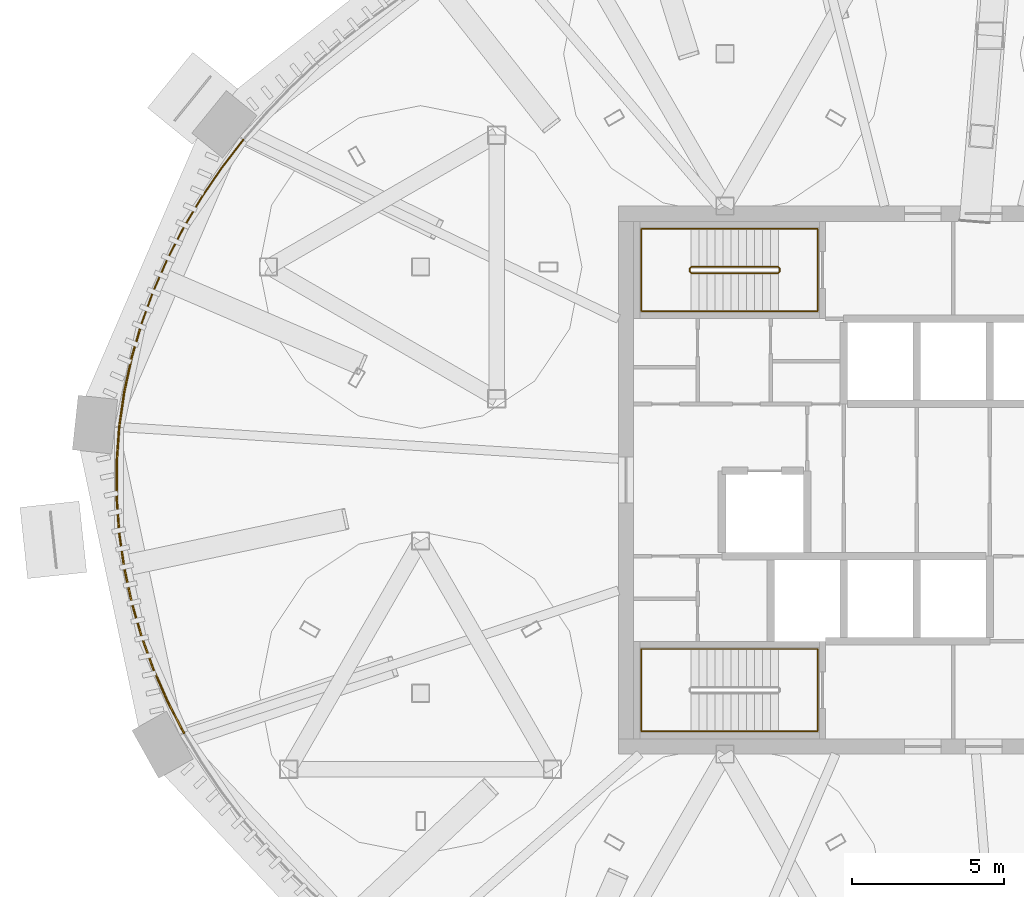
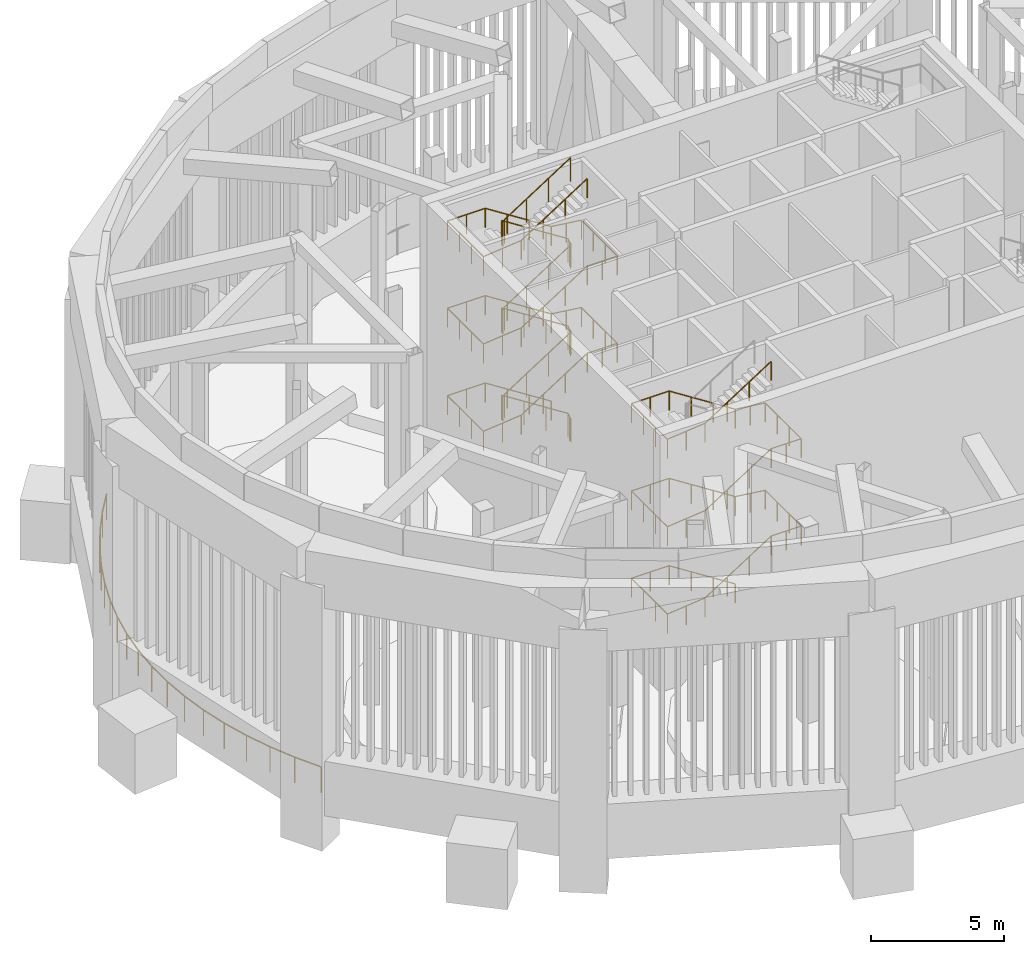
# One storey, part 11 of 14: 6 railings.
"""IFC4 building model written with IfcOpenShell, lengths in metres."""

from ifc_helpers import new_model, si_unit, direction, frame, origin, origin_2d, place, context, subcontext, project, spatial, circle, extrude, source, transform, mapped, material, type_object, element, save


model = new_model("IFC4")

# Units and contexts
model_context = context("Model", 3, precision=1e-05, world=origin(), true_north=direction((0.0, 1.0)))
body_context = subcontext(model_context, "Body", "Model", "MODEL_VIEW")
ifc_project = project(units=[si_unit("LENGTHUNIT", "METRE"), si_unit("AREAUNIT", "SQUARE_METRE"), si_unit("VOLUMEUNIT", "CUBIC_METRE"), si_unit("PLANEANGLEUNIT", "RADIAN"), si_unit("MASSUNIT", "GRAM", prefix="KILO")], contexts=[model_context])

# Site, building, storey
site_placement = place(None, origin())
site = spatial("IfcSite", under=ifc_project, at=site_placement, CompositionType="ELEMENT")
building_placement = place(site_placement, origin())
building = spatial("IfcBuilding", under=site, at=building_placement, Name="Embergate Tower", CompositionType="ELEMENT")
storey_placement = place(building_placement, frame((0.0, 0.0, 340.0)))
storey = spatial("IfcBuildingStorey", under=building, at=storey_placement, Name="L79", CompositionType="ELEMENT", Elevation=340.0)

# Railings
ifc_material_1 = material(Name="Steel Q355B", Category="steel")
railing_type_1 = type_object("IfcRailingType", Name="Slot edge guard", PredefinedType="GUARDRAIL", material=ifc_material_1)
shared_shape_1 = source(origin(), body_context, "Body", "SweptSolid", [
    extrude(circle(Radius=0.030029296875, at=origin_2d()), frame((0.0, 0.0, 1.169921875), z_axis=(-0.609299061567, -0.79294051074, 0.0), x_axis=(0.79294051074, -0.609299061567, 0.0)), (0.0, 0.0, 1.0), 1.17529296875),
    extrude(circle(Radius=0.030029296875, at=origin_2d()), frame((-0.716064453125, -0.931884765625, 1.169921875), z_axis=(-0.562160279696, -0.827028306609, 0.0), x_axis=(0.827028306609, -0.562160279696, 0.0)), (0.0, 0.0, 1.0), 1.15966796875),
    extrude(circle(Radius=0.030029296875, at=origin_2d()), frame((-1.367919921875, -1.890869140625, 1.169921875), z_axis=(-0.51273893643, -0.858544572558, 0.0), x_axis=(0.858544572558, -0.51273893643, 0.0)), (0.0, 0.0, 1.0), 1.14501953125),
    extrude(circle(Radius=0.030029296875, at=origin_2d()), frame((-1.955078125, -2.8740234375, 1.169921875), z_axis=(-0.459094069098, -0.88838766072, 0.0), x_axis=(0.88838766072, -0.459094069098, 0.0)), (0.0, 0.0, 1.0), 1.171630859375),
    extrude(circle(Radius=0.030029296875, at=origin_2d()), frame((-2.492919921875, -3.914794921875, 1.169921875), z_axis=(-0.402166680093, -0.915566470237, 0.0), x_axis=(0.915566470237, -0.402166680093, 0.0)), (0.0, 0.0, 1.0), 1.158935546875),
    extrude(circle(Radius=0.030029296875, at=origin_2d()), frame((-2.958984375, -4.975830078125, 1.169921875), z_axis=(-0.340752323207, -0.940153101483, 0.0), x_axis=(0.940153101483, -0.340752323207, 0.0)), (0.0, 0.0, 1.0), 1.147705078125),
    extrude(circle(Radius=0.02490234375, at=origin_2d()), origin(), (0.0, 0.0, 1.0), 1.139892578125),
    extrude(circle(Radius=0.02490234375, at=origin_2d()), frame((-0.716064453125, -0.931884765625, 0.0)), (0.0, 0.0, 1.0), 1.139892578125),
    extrude(circle(Radius=0.02490234375, at=origin_2d()), frame((-1.367919921875, -1.890869140625, 0.0)), (0.0, 0.0, 1.0), 1.139892578125),
    extrude(circle(Radius=0.02490234375, at=origin_2d()), frame((-1.955078125, -2.8740234375, 0.0)), (0.0, 0.0, 1.0), 1.139892578125),
    extrude(circle(Radius=0.02490234375, at=origin_2d()), frame((-2.492919921875, -3.914794921875, 0.0)), (0.0, 0.0, 1.0), 1.139892578125),
    extrude(circle(Radius=0.02490234375, at=origin_2d()), frame((-2.958984375, -4.975830078125, 0.0)), (0.0, 0.0, 1.0), 1.139892578125),
    extrude(circle(Radius=0.02490234375, at=origin_2d()), frame((-3.35009765625, -6.054931640625, 0.0)), (0.0, 0.0, 1.0), 1.139892578125),
])
railing_1_placement = place(storey_placement, frame((-23.322998046875, 11.180908203125, 0.0)))
element("IfcRailing", 1, at=railing_1_placement, inside=storey, type_object=railing_type_1, Name="GRD-L79-09", PredefinedType="GUARDRAIL", context=body_context, shape_type="MappedRepresentation", body=[
    mapped(shared_shape_1, transform((0.0, 0.0, 0.0))),
])
shared_shape_2 = source(origin(), body_context, "Body", "SweptSolid", [
    extrude(circle(Radius=0.030029296875, at=origin_2d()), frame((0.0, 0.0, 1.169921875), z_axis=(-0.277127181901, -0.960833245184, 0.0), x_axis=(0.960833245184, -0.277127181901, 0.0)), (0.0, 0.0, 1.0), 1.16552734375),
    extrude(circle(Radius=0.030029296875, at=origin_2d()), frame((-0.322998046875, -1.119873046875, 1.169921875), z_axis=(-0.210608768615, -0.977570430497, 0.0), x_axis=(0.977570430497, -0.210608768615, 0.0)), (0.0, 0.0, 1.0), 1.157958984375),
    extrude(circle(Radius=0.030029296875, at=origin_2d()), frame((-0.56689453125, -2.251953125, 1.169921875), z_axis=(-0.141599413092, -0.989924040627, 0.0), x_axis=(0.989924040627, -0.141599413092, 0.0)), (0.0, 0.0, 1.0), 1.15185546875),
    extrude(circle(Radius=0.030029296875, at=origin_2d()), frame((-0.72998046875, -3.39208984375, 1.169921875), z_axis=(-0.071696618441, -0.997426485965, 0.0), x_axis=(0.997426485965, -0.071696618441, 0.0)), (0.0, 0.0, 1.0), 1.15771484375),
    extrude(circle(Radius=0.030029296875, at=origin_2d()), frame((-0.81298828125, -4.546875, 1.169921875), z_axis=(0.0, -1.0, 0.0), x_axis=(1.0, 0.0, 0.0)), (0.0, 0.0, 1.0), 1.158203125),
    extrude(circle(Radius=0.030029296875, at=origin_2d()), frame((-0.81298828125, -5.705078125, 1.169921875), z_axis=(0.071696618441, -0.997426485965, 0.0), x_axis=(0.997426485965, 0.071696618441, 0.0)), (0.0, 0.0, 1.0), 1.15771484375),
    extrude(circle(Radius=0.02490234375, at=origin_2d()), origin(), (0.0, 0.0, 1.0), 1.139892578125),
    extrude(circle(Radius=0.02490234375, at=origin_2d()), frame((-0.322998046875, -1.119873046875, 0.0)), (0.0, 0.0, 1.0), 1.139892578125),
    extrude(circle(Radius=0.02490234375, at=origin_2d()), frame((-0.56689453125, -2.251953125, 0.0)), (0.0, 0.0, 1.0), 1.139892578125),
    extrude(circle(Radius=0.02490234375, at=origin_2d()), frame((-0.72998046875, -3.39208984375, 0.0)), (0.0, 0.0, 1.0), 1.139892578125),
    extrude(circle(Radius=0.02490234375, at=origin_2d()), frame((-0.81298828125, -4.546875, 0.0)), (0.0, 0.0, 1.0), 1.139892578125),
    extrude(circle(Radius=0.02490234375, at=origin_2d()), frame((-0.81298828125, -5.705078125, 0.0)), (0.0, 0.0, 1.0), 1.139892578125),
    extrude(circle(Radius=0.02490234375, at=origin_2d()), frame((-0.72998046875, -6.85986328125, 0.0)), (0.0, 0.0, 1.0), 1.139892578125),
])
railing_2_placement = place(storey_placement, frame((-26.673095703125, 5.1259765625, 0.0)))
element("IfcRailing", 2, at=railing_2_placement, inside=storey, type_object=railing_type_1, Name="GRD-L79-10", PredefinedType="GUARDRAIL", context=body_context, shape_type="MappedRepresentation", body=[
    mapped(shared_shape_2, transform((0.0, 0.0, 0.0))),
])
shared_shape_3 = source(origin(), body_context, "Body", "SweptSolid", [
    extrude(circle(Radius=0.030029296875, at=origin_2d()), frame((0.0, 0.0, 1.169921875), z_axis=(0.141599413092, -0.989924040627, 0.0), x_axis=(0.989924040627, 0.141599413092, 0.0)), (0.0, 0.0, 1.0), 1.15185546875),
    extrude(circle(Radius=0.030029296875, at=origin_2d()), frame((0.1630859375, -1.14013671875, 1.169921875), z_axis=(0.210608768615, -0.977570430497, 0.0), x_axis=(0.977570430497, 0.210608768615, 0.0)), (0.0, 0.0, 1.0), 1.157958984375),
    extrude(circle(Radius=0.030029296875, at=origin_2d()), frame((0.406982421875, -2.272216796875, 1.169921875), z_axis=(0.277127181901, -0.960833245184, 0.0), x_axis=(0.960833245184, 0.277127181901, 0.0)), (0.0, 0.0, 1.0), 1.16552734375),
    extrude(circle(Radius=0.030029296875, at=origin_2d()), frame((0.72998046875, -3.39208984375, 1.169921875), z_axis=(0.340752323207, -0.940153101483, 0.0), x_axis=(0.940153101483, 0.340752323207, 0.0)), (0.0, 0.0, 1.0), 1.147705078125),
    extrude(circle(Radius=0.030029296875, at=origin_2d()), frame((1.12109375, -4.47119140625, 1.169921875), z_axis=(0.402166680093, -0.915566470237, 0.0), x_axis=(0.915566470237, 0.402166680093, 0.0)), (0.0, 0.0, 1.0), 1.158935546875),
    extrude(circle(Radius=0.030029296875, at=origin_2d()), frame((1.587158203125, -5.5322265625, 1.169921875), z_axis=(0.459094069098, -0.88838766072, 0.0), x_axis=(0.88838766072, 0.459094069098, 0.0)), (0.0, 0.0, 1.0), 1.171630859375),
    extrude(circle(Radius=0.02490234375, at=origin_2d()), origin(), (0.0, 0.0, 1.0), 1.139892578125),
    extrude(circle(Radius=0.02490234375, at=origin_2d()), frame((0.1630859375, -1.14013671875, 0.0)), (0.0, 0.0, 1.0), 1.139892578125),
    extrude(circle(Radius=0.02490234375, at=origin_2d()), frame((0.406982421875, -2.272216796875, 0.0)), (0.0, 0.0, 1.0), 1.139892578125),
    extrude(circle(Radius=0.02490234375, at=origin_2d()), frame((0.72998046875, -3.39208984375, 0.0)), (0.0, 0.0, 1.0), 1.139892578125),
    extrude(circle(Radius=0.02490234375, at=origin_2d()), frame((1.12109375, -4.47119140625, 0.0)), (0.0, 0.0, 1.0), 1.139892578125),
    extrude(circle(Radius=0.02490234375, at=origin_2d()), frame((1.587158203125, -5.5322265625, 0.0)), (0.0, 0.0, 1.0), 1.139892578125),
    extrude(circle(Radius=0.02490234375, at=origin_2d()), frame((2.125, -6.572998046875, 0.0)), (0.0, 0.0, 1.0), 1.139892578125),
])
railing_3_placement = place(storey_placement, frame((-27.403076171875, -1.73388671875, 0.0)))
element("IfcRailing", 3, at=railing_3_placement, inside=storey, type_object=railing_type_1, Name="GRD-L79-11", PredefinedType="GUARDRAIL", context=body_context, shape_type="MappedRepresentation", body=[
    mapped(shared_shape_3, transform((0.0, 0.0, 0.0))),
])
ifc_material_2 = material(Name="Stair guard 1100")
railing_type_2 = type_object("IfcRailingType", Name="Stair guard 1100", PredefinedType="GUARDRAIL", material=ifc_material_2)
shared_shape_4 = source(origin(), body_context, "Body", "SweptSolid", [
    extrude(circle(Radius=0.02392578125, at=origin_2d()), frame((0.0, 0.0, 1.076171875), z_axis=(0.0, 1.0, 0.0), x_axis=(-1.0, 0.0, 0.0)), (0.0, 0.0, 1.0), 0.099853515625),
    extrude(circle(Radius=0.02392578125, at=origin_2d()), frame((0.0, 0.099853515625, 1.076171875), z_axis=(-0.27628659633, 0.27628659633, 0.920506074601), x_axis=(-0.707106781187, -0.707106781187, 0.0)), (0.0, 0.0, 1.0), 0.18115234375),
    extrude(circle(Radius=0.02392578125, at=origin_2d()), frame((-0.050048828125, 0.14990234375, 1.24267578125), z_axis=(-0.841899231129, 0.0, 0.539634769658), x_axis=(0.0, -1.0, 0.0)), (0.0, 0.0, 1.0), 3.397216796875),
    extrude(circle(Radius=0.02392578125, at=origin_2d()), frame((-2.91015625, 0.14990234375, 3.076171875), z_axis=(-0.705375805398, -0.708833529934, 0.0), x_axis=(0.708833529934, -0.705375805398, 0.0)), (0.0, 0.0, 1.0), 0.070556640625),
    extrude(circle(Radius=0.02392578125, at=origin_2d()), frame((-2.9599609375, 0.099853515625, 3.076171875), z_axis=(0.0, -1.0, 0.0), x_axis=(1.0, 0.0, 0.0)), (0.0, 0.0, 1.0), 0.099853515625),
    extrude(circle(Radius=0.02392578125, at=origin_2d()), frame((-2.9599609375, 0.0, 3.076171875), z_axis=(0.275041040955, -0.276389281352, 0.920848191041), x_axis=(0.708833529934, 0.705375805398, 0.0)), (0.0, 0.0, 1.0), 0.18115234375),
    extrude(circle(Radius=0.02392578125, at=origin_2d()), frame((-2.91015625, -0.050048828125, 3.24267578125), z_axis=(0.841899231129, 0.0, 0.539634769658), x_axis=(0.0, 1.0, 0.0)), (0.0, 0.0, 1.0), 3.397216796875),
    extrude(circle(Radius=0.02392578125, at=origin_2d()), frame((-0.050048828125, -0.050048828125, 5.076171875), z_axis=(0.707106781187, 0.707106781187, 0.0), x_axis=(-0.707106781187, 0.707106781187, 0.0)), (0.0, 0.0, 1.0), 0.07080078125),
    extrude(circle(Radius=0.02392578125, at=origin_2d()), frame((0.0, 0.0, 5.076171875), z_axis=(0.0, 1.0, 0.0), x_axis=(-1.0, 0.0, 0.0)), (0.0, 0.0, 1.0), 0.099853515625),
    extrude(circle(Radius=0.02392578125, at=origin_2d()), frame((0.0, 0.099853515625, 5.076171875), z_axis=(-0.27628659633, 0.27628659633, 0.920506074601), x_axis=(-0.707106781187, -0.707106781187, 0.0)), (0.0, 0.0, 1.0), 0.18115234375),
    extrude(circle(Radius=0.02392578125, at=origin_2d()), frame((-0.050048828125, 0.14990234375, 5.24267578125), z_axis=(-0.841899231129, 0.0, 0.539634769658), x_axis=(0.0, -1.0, 0.0)), (0.0, 0.0, 1.0), 3.397216796875),
    extrude(circle(Radius=0.02392578125, at=origin_2d()), frame((-2.91015625, 0.14990234375, 7.076171875), z_axis=(-0.705375805398, -0.708833529934, 0.0), x_axis=(0.708833529934, -0.705375805398, 0.0)), (0.0, 0.0, 1.0), 0.070556640625),
    extrude(circle(Radius=0.02392578125, at=origin_2d()), frame((-2.9599609375, 0.099853515625, 7.076171875), z_axis=(0.0, -1.0, 0.0), x_axis=(1.0, 0.0, 0.0)), (0.0, 0.0, 1.0), 0.099853515625),
    extrude(circle(Radius=0.02392578125, at=origin_2d()), frame((-2.9599609375, 0.0, 7.076171875), z_axis=(0.275041040955, -0.276389281352, 0.920848191041), x_axis=(0.708833529934, 0.705375805398, 0.0)), (0.0, 0.0, 1.0), 0.18115234375),
    extrude(circle(Radius=0.02392578125, at=origin_2d()), frame((-2.91015625, -0.050048828125, 7.24267578125), z_axis=(0.841899231129, 0.0, 0.539634769658), x_axis=(0.0, 1.0, 0.0)), (0.0, 0.0, 1.0), 3.397216796875),
    extrude(circle(Radius=0.02392578125, at=origin_2d()), frame((-0.050048828125, -0.050048828125, 9.076171875), z_axis=(0.707106781187, 0.707106781187, 0.0), x_axis=(-0.707106781187, 0.707106781187, 0.0)), (0.0, 0.0, 1.0), 0.07080078125),
    extrude(circle(Radius=0.02392578125, at=origin_2d()), frame((0.0, 0.0, 9.076171875), z_axis=(0.0, 1.0, 0.0), x_axis=(-1.0, 0.0, 0.0)), (0.0, 0.0, 1.0), 0.099853515625),
    extrude(circle(Radius=0.02392578125, at=origin_2d()), frame((0.0, 0.099853515625, 9.076171875), z_axis=(-0.27628659633, 0.27628659633, 0.920506074601), x_axis=(-0.707106781187, -0.707106781187, 0.0)), (0.0, 0.0, 1.0), 0.18115234375),
    extrude(circle(Radius=0.02392578125, at=origin_2d()), frame((-0.050048828125, 0.14990234375, 9.24267578125), z_axis=(-0.841899231129, 0.0, 0.539634769658), x_axis=(0.0, -1.0, 0.0)), (0.0, 0.0, 1.0), 3.397216796875),
    extrude(circle(Radius=0.02392578125, at=origin_2d()), frame((-2.91015625, 0.14990234375, 11.076171875), z_axis=(-0.705375805398, -0.708833529934, 0.0), x_axis=(0.708833529934, -0.705375805398, 0.0)), (0.0, 0.0, 1.0), 0.070556640625),
    extrude(circle(Radius=0.02392578125, at=origin_2d()), frame((-2.9599609375, 0.099853515625, 11.076171875), z_axis=(0.0, -1.0, 0.0), x_axis=(1.0, 0.0, 0.0)), (0.0, 0.0, 1.0), 0.099853515625),
    extrude(circle(Radius=0.02392578125, at=origin_2d()), frame((-2.9599609375, 0.0, 11.076171875), z_axis=(0.275041040955, -0.276389281352, 0.920848191041), x_axis=(0.708833529934, 0.705375805398, 0.0)), (0.0, 0.0, 1.0), 0.18115234375),
    extrude(circle(Radius=0.02392578125, at=origin_2d()), frame((-2.91015625, -0.050048828125, 11.24267578125), z_axis=(0.841899231129, 0.0, 0.539634769658), x_axis=(0.0, 1.0, 0.0)), (0.0, 0.0, 1.0), 3.397216796875),
    extrude(circle(Radius=0.02099609375, at=origin_2d()), origin(), (0.0, 0.0, 1.0), 1.052001953125),
    extrude(circle(Radius=0.02099609375, at=origin_2d()), frame((0.0, 0.099853515625, 0.0)), (0.0, 0.0, 1.0), 1.052001953125),
    extrude(circle(Radius=0.02099609375, at=origin_2d()), frame((-0.050048828125, 0.14990234375, 0.166748046875)), (0.0, 0.0, 1.0), 1.052001953125),
    extrude(circle(Radius=0.02099609375, at=origin_2d()), frame((-1.00341796875, 0.14990234375, 0.77783203125)), (0.0, 0.0, 1.0), 1.052001953125),
    extrude(circle(Radius=0.02099609375, at=origin_2d()), frame((-1.956787109375, 0.14990234375, 1.388916015625)), (0.0, 0.0, 1.0), 1.052001953125),
    extrude(circle(Radius=0.02099609375, at=origin_2d()), frame((-2.91015625, 0.14990234375, 2.0)), (0.0, 0.0, 1.0), 1.052001953125),
    extrude(circle(Radius=0.02099609375, at=origin_2d()), frame((-2.9599609375, 0.099853515625, 2.0)), (0.0, 0.0, 1.0), 1.052001953125),
    extrude(circle(Radius=0.02099609375, at=origin_2d()), frame((-2.9599609375, 0.0, 2.0)), (0.0, 0.0, 1.0), 1.052001953125),
    extrude(circle(Radius=0.02099609375, at=origin_2d()), frame((-2.91015625, -0.050048828125, 2.166748046875)), (0.0, 0.0, 1.0), 1.052001953125),
    extrude(circle(Radius=0.02099609375, at=origin_2d()), frame((-1.956787109375, -0.050048828125, 2.77783203125)), (0.0, 0.0, 1.0), 1.052001953125),
    extrude(circle(Radius=0.02099609375, at=origin_2d()), frame((-1.00341796875, -0.050048828125, 3.388916015625)), (0.0, 0.0, 1.0), 1.052001953125),
    extrude(circle(Radius=0.02099609375, at=origin_2d()), frame((-0.050048828125, -0.050048828125, 4.0)), (0.0, 0.0, 1.0), 1.052001953125),
    extrude(circle(Radius=0.02099609375, at=origin_2d()), frame((0.0, 0.0, 4.0)), (0.0, 0.0, 1.0), 1.052001953125),
    extrude(circle(Radius=0.02099609375, at=origin_2d()), frame((0.0, 0.099853515625, 4.0)), (0.0, 0.0, 1.0), 1.052001953125),
    extrude(circle(Radius=0.02099609375, at=origin_2d()), frame((-0.050048828125, 0.14990234375, 4.166748046875)), (0.0, 0.0, 1.0), 1.052001953125),
    extrude(circle(Radius=0.02099609375, at=origin_2d()), frame((-1.00341796875, 0.14990234375, 4.77783203125)), (0.0, 0.0, 1.0), 1.052001953125),
    extrude(circle(Radius=0.02099609375, at=origin_2d()), frame((-1.956787109375, 0.14990234375, 5.388916015625)), (0.0, 0.0, 1.0), 1.052001953125),
    extrude(circle(Radius=0.02099609375, at=origin_2d()), frame((-2.91015625, 0.14990234375, 6.0)), (0.0, 0.0, 1.0), 1.052001953125),
    extrude(circle(Radius=0.02099609375, at=origin_2d()), frame((-2.9599609375, 0.099853515625, 6.0)), (0.0, 0.0, 1.0), 1.052001953125),
    extrude(circle(Radius=0.02099609375, at=origin_2d()), frame((-2.9599609375, 0.0, 6.0)), (0.0, 0.0, 1.0), 1.052001953125),
    extrude(circle(Radius=0.02099609375, at=origin_2d()), frame((-2.91015625, -0.050048828125, 6.166748046875)), (0.0, 0.0, 1.0), 1.052001953125),
    extrude(circle(Radius=0.02099609375, at=origin_2d()), frame((-1.956787109375, -0.050048828125, 6.77783203125)), (0.0, 0.0, 1.0), 1.052001953125),
    extrude(circle(Radius=0.02099609375, at=origin_2d()), frame((-1.00341796875, -0.050048828125, 7.388916015625)), (0.0, 0.0, 1.0), 1.052001953125),
    extrude(circle(Radius=0.02099609375, at=origin_2d()), frame((-0.050048828125, -0.050048828125, 8.0)), (0.0, 0.0, 1.0), 1.052001953125),
    extrude(circle(Radius=0.02099609375, at=origin_2d()), frame((0.0, 0.0, 8.0)), (0.0, 0.0, 1.0), 1.052001953125),
    extrude(circle(Radius=0.02099609375, at=origin_2d()), frame((0.0, 0.099853515625, 8.0)), (0.0, 0.0, 1.0), 1.052001953125),
    extrude(circle(Radius=0.02099609375, at=origin_2d()), frame((-0.050048828125, 0.14990234375, 8.166748046875)), (0.0, 0.0, 1.0), 1.052001953125),
    extrude(circle(Radius=0.02099609375, at=origin_2d()), frame((-1.00341796875, 0.14990234375, 8.77783203125)), (0.0, 0.0, 1.0), 1.052001953125),
    extrude(circle(Radius=0.02099609375, at=origin_2d()), frame((-1.956787109375, 0.14990234375, 9.388916015625)), (0.0, 0.0, 1.0), 1.052001953125),
    extrude(circle(Radius=0.02099609375, at=origin_2d()), frame((-2.91015625, 0.14990234375, 10.0)), (0.0, 0.0, 1.0), 1.052001953125),
    extrude(circle(Radius=0.02099609375, at=origin_2d()), frame((-2.9599609375, 0.099853515625, 10.0)), (0.0, 0.0, 1.0), 1.052001953125),
    extrude(circle(Radius=0.02099609375, at=origin_2d()), frame((-2.9599609375, 0.0, 10.0)), (0.0, 0.0, 1.0), 1.052001953125),
    extrude(circle(Radius=0.02099609375, at=origin_2d()), frame((-2.91015625, -0.050048828125, 10.166748046875)), (0.0, 0.0, 1.0), 1.052001953125),
    extrude(circle(Radius=0.02099609375, at=origin_2d()), frame((-1.956787109375, -0.050048828125, 10.77783203125)), (0.0, 0.0, 1.0), 1.052001953125),
    extrude(circle(Radius=0.02099609375, at=origin_2d()), frame((-1.00341796875, -0.050048828125, 11.388916015625)), (0.0, 0.0, 1.0), 1.052001953125),
    extrude(circle(Radius=0.02099609375, at=origin_2d()), frame((-0.050048828125, -0.050048828125, 12.0)), (0.0, 0.0, 1.0), 1.052001953125),
])
railing_4_placement = place(storey_placement, frame((-5.699951171875, 6.85009765625, 0.0)))
element("IfcRailing", 4, at=railing_4_placement, inside=storey, type_object=railing_type_2, Name="L79 ST1 stair guard 1", PredefinedType="GUARDRAIL", context=body_context, shape_type="MappedRepresentation", body=[
    mapped(shared_shape_4, transform((0.0, 0.0, 0.0))),
])
ifc_material_3 = material(Name="Stair handrail 900")
railing_type_3 = type_object("IfcRailingType", Name="Stair handrail 900", PredefinedType="HANDRAIL", material=ifc_material_3)
shared_shape_5 = source(origin(), body_context, "Body", "SweptSolid", [
    extrude(circle(Radius=0.02392578125, at=origin_2d()), frame((0.0, 0.0, 0.8759765625), z_axis=(-0.841899231129, 0.0, 0.539634769658), x_axis=(0.0, -1.0, 0.0)), (0.0, 0.0, 1.0), 3.397216796875),
    extrude(circle(Radius=0.02392578125, at=origin_2d()), frame((-2.860107421875, 0.0, 2.708984375), z_axis=(-1.0, 0.0, 0.0), x_axis=(0.0, -1.0, 0.0)), (0.0, 0.0, 1.0), 1.639892578125),
    extrude(circle(Radius=0.02392578125, at=origin_2d()), frame((-4.5, 0.0, 2.708984375), z_axis=(0.0, -1.0, 0.0), x_axis=(1.0, 0.0, 0.0)), (0.0, 0.0, 1.0), 2.699951171875),
    extrude(circle(Radius=0.02392578125, at=origin_2d()), frame((-4.5, -2.699951171875, 2.708984375), z_axis=(0.99487010061, 0.0, 0.101160678683), x_axis=(0.0, 1.0, 0.0)), (0.0, 0.0, 1.0), 1.6484375),
    extrude(circle(Radius=0.02392578125, at=origin_2d()), frame((-2.860107421875, -2.699951171875, 2.8759765625), z_axis=(0.841899231129, 0.0, 0.539634769658), x_axis=(0.0, 1.0, 0.0)), (0.0, 0.0, 1.0), 3.397216796875),
    extrude(circle(Radius=0.02392578125, at=origin_2d()), frame((0.0, -2.699951171875, 4.708984375), z_axis=(1.0, 0.0, 0.0), x_axis=(0.0, 1.0, 0.0)), (0.0, 0.0, 1.0), 1.300048828125),
    extrude(circle(Radius=0.02392578125, at=origin_2d()), frame((1.300048828125, -2.699951171875, 4.708984375), z_axis=(0.0, 1.0, 0.0), x_axis=(-1.0, 0.0, 0.0)), (0.0, 0.0, 1.0), 2.699951171875),
    extrude(circle(Radius=0.02392578125, at=origin_2d()), frame((1.300048828125, 0.0, 4.708984375), z_axis=(-0.991874434073, 0.0, 0.12722070206), x_axis=(0.0, -1.0, 0.0)), (0.0, 0.0, 1.0), 1.310791015625),
    extrude(circle(Radius=0.02392578125, at=origin_2d()), frame((0.0, 0.0, 4.8759765625), z_axis=(-0.841899231129, 0.0, 0.539634769658), x_axis=(0.0, -1.0, 0.0)), (0.0, 0.0, 1.0), 3.397216796875),
    extrude(circle(Radius=0.02392578125, at=origin_2d()), frame((-2.860107421875, 0.0, 6.708984375), z_axis=(-1.0, 0.0, 0.0), x_axis=(0.0, -1.0, 0.0)), (0.0, 0.0, 1.0), 1.639892578125),
    extrude(circle(Radius=0.02392578125, at=origin_2d()), frame((-4.5, 0.0, 6.708984375), z_axis=(0.0, -1.0, 0.0), x_axis=(1.0, 0.0, 0.0)), (0.0, 0.0, 1.0), 2.699951171875),
    extrude(circle(Radius=0.02392578125, at=origin_2d()), frame((-4.5, -2.699951171875, 6.708984375), z_axis=(0.99487010061, 0.0, 0.101160678683), x_axis=(0.0, 1.0, 0.0)), (0.0, 0.0, 1.0), 1.6484375),
    extrude(circle(Radius=0.02392578125, at=origin_2d()), frame((-2.860107421875, -2.699951171875, 6.8759765625), z_axis=(0.841899231129, 0.0, 0.539634769658), x_axis=(0.0, 1.0, 0.0)), (0.0, 0.0, 1.0), 3.397216796875),
    extrude(circle(Radius=0.02392578125, at=origin_2d()), frame((0.0, -2.699951171875, 8.708984375), z_axis=(1.0, 0.0, 0.0), x_axis=(0.0, 1.0, 0.0)), (0.0, 0.0, 1.0), 1.300048828125),
    extrude(circle(Radius=0.02392578125, at=origin_2d()), frame((1.300048828125, -2.699951171875, 8.708984375), z_axis=(0.0, 1.0, 0.0), x_axis=(-1.0, 0.0, 0.0)), (0.0, 0.0, 1.0), 2.699951171875),
    extrude(circle(Radius=0.02392578125, at=origin_2d()), frame((1.300048828125, 0.0, 8.708984375), z_axis=(-0.991874434073, 0.0, 0.12722070206), x_axis=(0.0, -1.0, 0.0)), (0.0, 0.0, 1.0), 1.310791015625),
    extrude(circle(Radius=0.02392578125, at=origin_2d()), frame((0.0, 0.0, 8.8759765625), z_axis=(-0.841899231129, 0.0, 0.539634769658), x_axis=(0.0, -1.0, 0.0)), (0.0, 0.0, 1.0), 3.397216796875),
    extrude(circle(Radius=0.02392578125, at=origin_2d()), frame((-2.860107421875, 0.0, 10.708984375), z_axis=(-1.0, 0.0, 0.0), x_axis=(0.0, -1.0, 0.0)), (0.0, 0.0, 1.0), 1.639892578125),
    extrude(circle(Radius=0.02392578125, at=origin_2d()), frame((-4.5, 0.0, 10.708984375), z_axis=(0.0, -1.0, 0.0), x_axis=(1.0, 0.0, 0.0)), (0.0, 0.0, 1.0), 2.699951171875),
    extrude(circle(Radius=0.02392578125, at=origin_2d()), frame((-4.5, -2.699951171875, 10.708984375), z_axis=(0.99487010061, 0.0, 0.101160678683), x_axis=(0.0, 1.0, 0.0)), (0.0, 0.0, 1.0), 1.6484375),
    extrude(circle(Radius=0.02392578125, at=origin_2d()), frame((-2.860107421875, -2.699951171875, 10.8759765625), z_axis=(0.841899231129, 0.0, 0.539634769658), x_axis=(0.0, 1.0, 0.0)), (0.0, 0.0, 1.0), 3.397216796875),
    extrude(circle(Radius=0.02099609375, at=origin_2d()), origin(), (0.0, 0.0, 1.0), 0.851806640625),
    extrude(circle(Radius=0.02099609375, at=origin_2d()), frame((-0.953369140625, 0.0, 0.611083984375)), (0.0, 0.0, 1.0), 0.851806640625),
    extrude(circle(Radius=0.02099609375, at=origin_2d()), frame((-1.90673828125, 0.0, 1.22216796875)), (0.0, 0.0, 1.0), 0.851806640625),
    extrude(circle(Radius=0.02099609375, at=origin_2d()), frame((-2.860107421875, 0.0, 1.833251953125)), (0.0, 0.0, 1.0), 0.851806640625),
    extrude(circle(Radius=0.02099609375, at=origin_2d()), frame((-3.68017578125, 0.0, 1.833251953125)), (0.0, 0.0, 1.0), 0.851806640625),
    extrude(circle(Radius=0.02099609375, at=origin_2d()), frame((-4.5, 0.0, 1.833251953125)), (0.0, 0.0, 1.0), 0.851806640625),
    extrude(circle(Radius=0.02099609375, at=origin_2d()), frame((-4.5, -0.89990234375, 1.833251953125)), (0.0, 0.0, 1.0), 0.851806640625),
    extrude(circle(Radius=0.02099609375, at=origin_2d()), frame((-4.5, -1.800048828125, 1.833251953125)), (0.0, 0.0, 1.0), 0.851806640625),
    extrude(circle(Radius=0.02099609375, at=origin_2d()), frame((-4.5, -2.699951171875, 1.833251953125)), (0.0, 0.0, 1.0), 0.851806640625),
    extrude(circle(Radius=0.02099609375, at=origin_2d()), frame((-3.68017578125, -2.699951171875, 1.91650390625)), (0.0, 0.0, 1.0), 0.851806640625),
    extrude(circle(Radius=0.02099609375, at=origin_2d()), frame((-2.860107421875, -2.699951171875, 2.0)), (0.0, 0.0, 1.0), 0.851806640625),
    extrude(circle(Radius=0.02099609375, at=origin_2d()), frame((-1.90673828125, -2.699951171875, 2.611083984375)), (0.0, 0.0, 1.0), 0.851806640625),
    extrude(circle(Radius=0.02099609375, at=origin_2d()), frame((-0.953369140625, -2.699951171875, 3.22216796875)), (0.0, 0.0, 1.0), 0.851806640625),
    extrude(circle(Radius=0.02099609375, at=origin_2d()), frame((0.0, -2.699951171875, 3.833251953125)), (0.0, 0.0, 1.0), 0.851806640625),
    extrude(circle(Radius=0.02099609375, at=origin_2d()), frame((0.64990234375, -2.699951171875, 3.833251953125)), (0.0, 0.0, 1.0), 0.851806640625),
    extrude(circle(Radius=0.02099609375, at=origin_2d()), frame((1.300048828125, -2.699951171875, 3.833251953125)), (0.0, 0.0, 1.0), 0.851806640625),
    extrude(circle(Radius=0.02099609375, at=origin_2d()), frame((1.300048828125, -1.800048828125, 3.833251953125)), (0.0, 0.0, 1.0), 0.851806640625),
    extrude(circle(Radius=0.02099609375, at=origin_2d()), frame((1.300048828125, -0.89990234375, 3.833251953125)), (0.0, 0.0, 1.0), 0.851806640625),
    extrude(circle(Radius=0.02099609375, at=origin_2d()), frame((1.300048828125, 0.0, 3.833251953125)), (0.0, 0.0, 1.0), 0.851806640625),
    extrude(circle(Radius=0.02099609375, at=origin_2d()), frame((0.64990234375, 0.0, 3.91650390625)), (0.0, 0.0, 1.0), 0.851806640625),
    extrude(circle(Radius=0.02099609375, at=origin_2d()), frame((0.0, 0.0, 4.0)), (0.0, 0.0, 1.0), 0.851806640625),
    extrude(circle(Radius=0.02099609375, at=origin_2d()), frame((-0.953369140625, 0.0, 4.611083984375)), (0.0, 0.0, 1.0), 0.851806640625),
    extrude(circle(Radius=0.02099609375, at=origin_2d()), frame((-1.90673828125, 0.0, 5.22216796875)), (0.0, 0.0, 1.0), 0.851806640625),
    extrude(circle(Radius=0.02099609375, at=origin_2d()), frame((-2.860107421875, 0.0, 5.833251953125)), (0.0, 0.0, 1.0), 0.851806640625),
    extrude(circle(Radius=0.02099609375, at=origin_2d()), frame((-3.68017578125, 0.0, 5.833251953125)), (0.0, 0.0, 1.0), 0.851806640625),
    extrude(circle(Radius=0.02099609375, at=origin_2d()), frame((-4.5, 0.0, 5.833251953125)), (0.0, 0.0, 1.0), 0.851806640625),
    extrude(circle(Radius=0.02099609375, at=origin_2d()), frame((-4.5, -0.89990234375, 5.833251953125)), (0.0, 0.0, 1.0), 0.851806640625),
    extrude(circle(Radius=0.02099609375, at=origin_2d()), frame((-4.5, -1.800048828125, 5.833251953125)), (0.0, 0.0, 1.0), 0.851806640625),
    extrude(circle(Radius=0.02099609375, at=origin_2d()), frame((-4.5, -2.699951171875, 5.833251953125)), (0.0, 0.0, 1.0), 0.851806640625),
    extrude(circle(Radius=0.02099609375, at=origin_2d()), frame((-3.68017578125, -2.699951171875, 5.91650390625)), (0.0, 0.0, 1.0), 0.851806640625),
    extrude(circle(Radius=0.02099609375, at=origin_2d()), frame((-2.860107421875, -2.699951171875, 6.0)), (0.0, 0.0, 1.0), 0.851806640625),
    extrude(circle(Radius=0.02099609375, at=origin_2d()), frame((-1.90673828125, -2.699951171875, 6.611083984375)), (0.0, 0.0, 1.0), 0.851806640625),
    extrude(circle(Radius=0.02099609375, at=origin_2d()), frame((-0.953369140625, -2.699951171875, 7.22216796875)), (0.0, 0.0, 1.0), 0.851806640625),
    extrude(circle(Radius=0.02099609375, at=origin_2d()), frame((0.0, -2.699951171875, 7.833251953125)), (0.0, 0.0, 1.0), 0.851806640625),
    extrude(circle(Radius=0.02099609375, at=origin_2d()), frame((0.64990234375, -2.699951171875, 7.833251953125)), (0.0, 0.0, 1.0), 0.851806640625),
    extrude(circle(Radius=0.02099609375, at=origin_2d()), frame((1.300048828125, -2.699951171875, 7.833251953125)), (0.0, 0.0, 1.0), 0.851806640625),
    extrude(circle(Radius=0.02099609375, at=origin_2d()), frame((1.300048828125, -1.800048828125, 7.833251953125)), (0.0, 0.0, 1.0), 0.851806640625),
    extrude(circle(Radius=0.02099609375, at=origin_2d()), frame((1.300048828125, -0.89990234375, 7.833251953125)), (0.0, 0.0, 1.0), 0.851806640625),
    extrude(circle(Radius=0.02099609375, at=origin_2d()), frame((1.300048828125, 0.0, 7.833251953125)), (0.0, 0.0, 1.0), 0.851806640625),
    extrude(circle(Radius=0.02099609375, at=origin_2d()), frame((0.64990234375, 0.0, 7.91650390625)), (0.0, 0.0, 1.0), 0.851806640625),
    extrude(circle(Radius=0.02099609375, at=origin_2d()), frame((0.0, 0.0, 8.0)), (0.0, 0.0, 1.0), 0.851806640625),
    extrude(circle(Radius=0.02099609375, at=origin_2d()), frame((-0.953369140625, 0.0, 8.611083984375)), (0.0, 0.0, 1.0), 0.851806640625),
    extrude(circle(Radius=0.02099609375, at=origin_2d()), frame((-1.90673828125, 0.0, 9.22216796875)), (0.0, 0.0, 1.0), 0.851806640625),
    extrude(circle(Radius=0.02099609375, at=origin_2d()), frame((-2.860107421875, 0.0, 9.833251953125)), (0.0, 0.0, 1.0), 0.851806640625),
    extrude(circle(Radius=0.02099609375, at=origin_2d()), frame((-3.68017578125, 0.0, 9.833251953125)), (0.0, 0.0, 1.0), 0.851806640625),
    extrude(circle(Radius=0.02099609375, at=origin_2d()), frame((-4.5, 0.0, 9.833251953125)), (0.0, 0.0, 1.0), 0.851806640625),
    extrude(circle(Radius=0.02099609375, at=origin_2d()), frame((-4.5, -0.89990234375, 9.833251953125)), (0.0, 0.0, 1.0), 0.851806640625),
    extrude(circle(Radius=0.02099609375, at=origin_2d()), frame((-4.5, -1.800048828125, 9.833251953125)), (0.0, 0.0, 1.0), 0.851806640625),
    extrude(circle(Radius=0.02099609375, at=origin_2d()), frame((-4.5, -2.699951171875, 9.833251953125)), (0.0, 0.0, 1.0), 0.851806640625),
    extrude(circle(Radius=0.02099609375, at=origin_2d()), frame((-3.68017578125, -2.699951171875, 9.91650390625)), (0.0, 0.0, 1.0), 0.851806640625),
    extrude(circle(Radius=0.02099609375, at=origin_2d()), frame((-2.860107421875, -2.699951171875, 10.0)), (0.0, 0.0, 1.0), 0.851806640625),
    extrude(circle(Radius=0.02099609375, at=origin_2d()), frame((-1.90673828125, -2.699951171875, 10.611083984375)), (0.0, 0.0, 1.0), 0.851806640625),
    extrude(circle(Radius=0.02099609375, at=origin_2d()), frame((-0.953369140625, -2.699951171875, 11.22216796875)), (0.0, 0.0, 1.0), 0.851806640625),
    extrude(circle(Radius=0.02099609375, at=origin_2d()), frame((0.0, -2.699951171875, 11.833251953125)), (0.0, 0.0, 1.0), 0.851806640625),
])
for number, where, name in (
    (5, (-5.75, 8.25, 0.166748046875), "L79 ST1 stair handrail 1"),
    (6, (-5.75, -5.550048828125, 0.166748046875), "L79 ST3 stair handrail 1"),
):
    element("IfcRailing", number, at=place(storey_placement, frame(where)), inside=storey, type_object=railing_type_3, Name=name, PredefinedType="HANDRAIL", context=body_context, shape_type="MappedRepresentation", body=[
        mapped(shared_shape_5, transform((0.0, 0.0, 0.0))),
    ])

save(model, "model.ifc")
